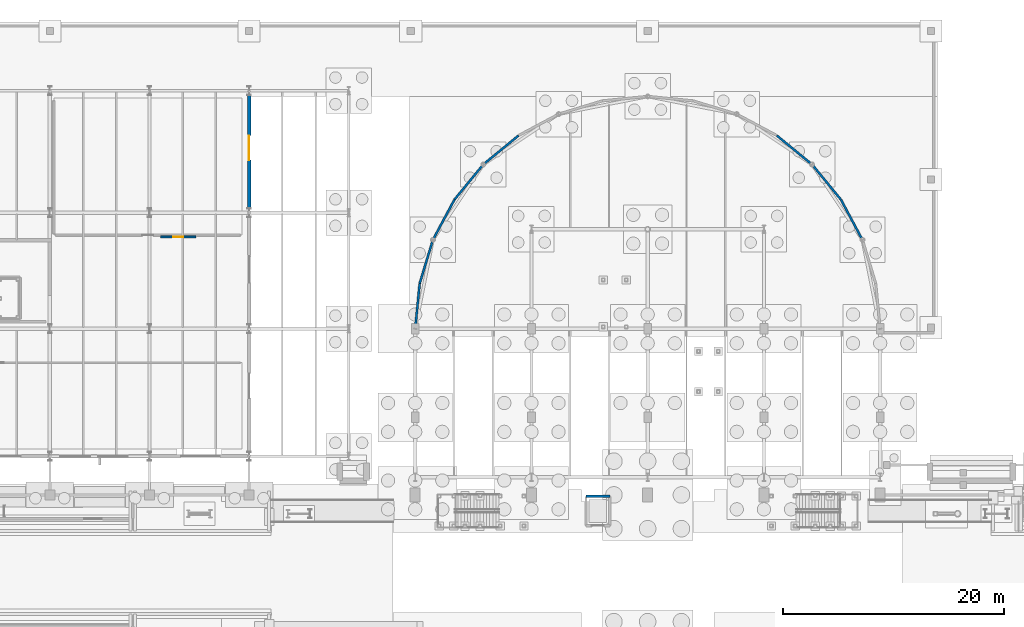
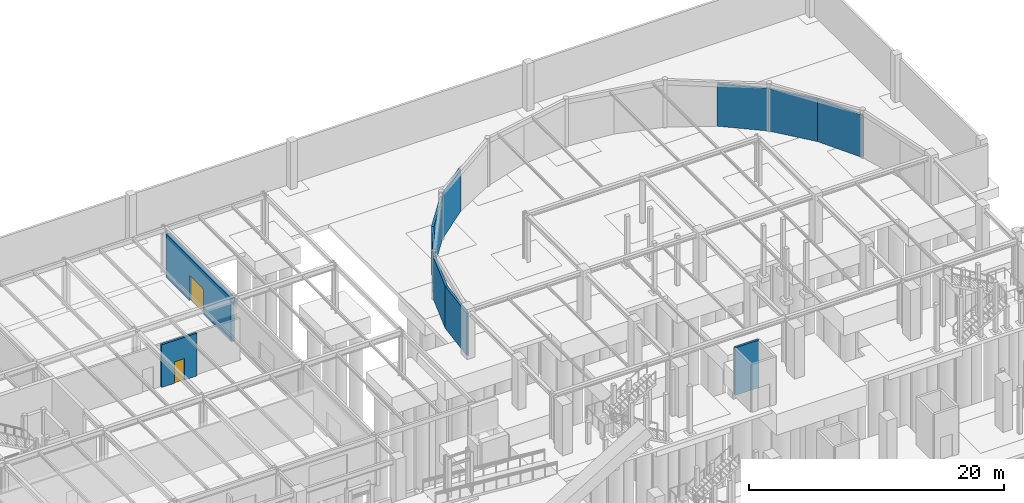
# One storey, part 106 of 160: 11 walls, 2 doors, 2 openings.
"""IFC4 building model written with IfcOpenShell, lengths in metres."""

from ifc_helpers import new_model, si_unit, direction, frame, frame_2d, origin, place, context, subcontext, project, spatial, rectangle, extrude, material, layer, layer_set, type_object, element, fill, save


model = new_model("IFC4")

# Units and contexts
model_context = context("Model", 3, precision=1e-05, world=origin(), true_north=direction((0.0, 1.0)))
body_context = subcontext(model_context, "Body", "Model", "MODEL_VIEW")
ifc_project = project(units=[si_unit("LENGTHUNIT", "METRE"), si_unit("AREAUNIT", "SQUARE_METRE"), si_unit("VOLUMEUNIT", "CUBIC_METRE"), si_unit("PLANEANGLEUNIT", "RADIAN"), si_unit("MASSUNIT", "GRAM", prefix="KILO")], contexts=[model_context])

# Site, building, storey
site_placement = place(None, origin())
site = spatial("IfcSite", under=ifc_project, at=site_placement, CompositionType="ELEMENT")
building_placement = place(site_placement, origin())
building = spatial("IfcBuilding", under=site, at=building_placement, Name="Marlcrest Central Station", CompositionType="ELEMENT")
storey_placement = place(building_placement, origin())
storey = spatial("IfcBuildingStorey", under=building, at=storey_placement, Name="L00", CompositionType="ELEMENT", Elevation=0.0)

# Walls
ifc_material_1 = material(Name="Concrete C40/50", Category="concrete")
ifc_layer_1 = layer(ifc_material_1, 0.199951171875, Name="EP-01")
ifc_layer_set_1 = layer_set([ifc_layer_1], Name="Concrete C40/50")
wall_type_1 = type_object("IfcWallType", Name="EP-01", PredefinedType="PARAPET", material=ifc_layer_set_1)
wall_1_placement = place(storey_placement, frame((87.0, 110.5, 0.0), z_axis=(0.0, 0.0, 1.0), x_axis=(0.098147279383, 0.995171900502, 0.0)))
element("IfcWall", 1, at=wall_1_placement, inside=storey, type_object=wall_type_1, Name="ewall-L00-0245", PredefinedType="PARAPET", context=body_context, shape_type="SweptSolid", body=[
    extrude(rectangle(XDim=4.11669921875, YDim=0.199951171875, at=frame_2d((2.058349609375, 0.0))), origin(), (0.0, 0.0, 1.0), 4.0400390625),
])
wall_2_placement = place(storey_placement, frame((87.404052734375, 114.596923828125, 0.0), z_axis=(0.0, 0.0, 1.0), x_axis=(0.290328377828, 0.956927078218, 0.0)))
element("IfcWall", 2, at=wall_2_placement, inside=storey, type_object=wall_type_1, Name="ewall-L00-0246", PredefinedType="PARAPET", context=body_context, shape_type="SweptSolid", body=[
    extrude(rectangle(XDim=4.1162109375, YDim=0.199951171875, at=frame_2d((2.05810546875, 0.0))), origin(), (0.0, 0.0, 1.0), 4.0400390625),
])
wall_3_placement = place(storey_placement, frame((88.59912109375, 118.535888671875, 0.0), z_axis=(0.0, 0.0, 1.0), x_axis=(0.471222184661, 0.882014542218, 0.0)))
element("IfcWall", 3, at=wall_3_placement, inside=storey, type_object=wall_type_1, Name="ewall-L00-0247", PredefinedType="PARAPET", context=body_context, shape_type="SweptSolid", body=[
    extrude(rectangle(XDim=4.116943359375, YDim=0.199951171875, at=frame_2d((2.05859375, 0.0))), origin(), (0.0, 0.0, 1.0), 4.0400390625),
])
for number, where, z_axis, x_axis, name in (
    (4, (90.5390625, 122.1669921875, 0.0), (0.0, 0.0, 1.0), (0.634438381706, 0.772973440564, 0.0), "ewall-L00-0248"),
    (5, (93.15087890625, 125.34912109375, 0.0), (0.0, 0.0, 1.0), (0.772973440564, 0.634438381706, 0.0), "ewall-L00-0249"),
    (6, (119.6669921875, 127.9609375, 0.0), (0.0, 0.0, 1.0), (0.772973440564, -0.634438381706, 0.0), "ewall-L00-0256"),
    (7, (122.84912109375, 125.34912109375, 0.0), (0.0, 0.0, 1.0), (0.634438381706, -0.772973440564, 0.0), "ewall-L00-0257"),
):
    element("IfcWall", number, at=place(storey_placement, frame(where, z_axis=z_axis, x_axis=x_axis)), inside=storey, type_object=wall_type_1, Name=name, PredefinedType="PARAPET", context=body_context, shape_type="SweptSolid", body=[
        extrude(rectangle(XDim=4.11669921875, YDim=0.199951171875, at=frame_2d((2.058349609375, 0.0))), origin(), (0.0, 0.0, 1.0), 4.0400390625),
    ])
wall_4_placement = place(storey_placement, frame((125.4609375, 122.1669921875, 0.0), z_axis=(0.0, 0.0, 1.0), x_axis=(0.471222184661, -0.882014542218, 0.0)))
element("IfcWall", 8, at=wall_4_placement, inside=storey, type_object=wall_type_1, Name="ewall-L00-0258", PredefinedType="PARAPET", context=body_context, shape_type="SweptSolid", body=[
    extrude(rectangle(XDim=4.116943359375, YDim=0.199951171875, at=frame_2d((2.05859375, 0.0))), origin(), (0.0, 0.0, 1.0), 4.0400390625),
])

# Wall, opening, door
ifc_layer_2 = layer(ifc_material_1, 0.320068359375, Name="EW-01")
ifc_layer_set_2 = layer_set([ifc_layer_2], Name="Concrete C40/50")
wall_type_2 = type_object("IfcWallType", Name="EW-01", PredefinedType="SOLIDWALL", material=ifc_layer_set_2)
wall_5_placement = place(storey_placement, frame((72.0, 131.60009765625, 0.0), z_axis=(0.0, 0.0, 1.0), x_axis=(0.0, -1.0, 0.0)))
wall_5 = element("IfcWall", 9, at=wall_5_placement, inside=storey, type_object=wall_type_2, Name="ewall-L00-0110", PredefinedType="SOLIDWALL", context=body_context, shape_type="SweptSolid", body=[
    extrude(rectangle(XDim=10.2001953125, YDim=0.320068359375, at=frame_2d((5.10009765625, 0.0))), origin(), (0.0, 0.0, 1.0), 4.14990234375),
])
opening_1_placement = place(wall_5_placement, frame((3.64990234375, 0.0, 0.0)))
opening_1 = element("IfcOpeningElement", 10, at=opening_1_placement, cuts=wall_5, Name="Opening ED-01", PredefinedType="OPENING", context=body_context, shape_type="SweptSolid", body=[
    extrude(rectangle(XDim=2.199951171875, YDim=2.39990234375, at=frame_2d((1.10009765625, 1.199951171875))), frame((0.0, 0.169921875, 0.0), z_axis=(0.0, -1.0, 0.0), x_axis=(1.0, 0.0, 0.0)), (0.0, 0.0, 1.0), 0.340087890625),
])
ifc_material_2 = material(Name="Thermally broken anodised aluminium and laminated safety glass", Category="aluminium")
door_type_1 = type_object("IfcDoorType", Name="ED-01", OperationType="DOUBLE_DOOR_SINGLE_SWING", PredefinedType="DOOR", material=ifc_material_2)
door_1_placement = place(opening_1_placement, origin())
door_1 = element("IfcDoor", 11, at=door_1_placement, inside=storey, type_object=door_type_1, Name="Operations East Yard Exit Door 039", OperationType="DOUBLE_DOOR_SINGLE_SWING", OverallHeight=2.39990234375, OverallWidth=2.199951171875, PredefinedType="DOOR", context=body_context, shape_type="SweptSolid", body=[
    extrude(rectangle(XDim=2.199951171875, YDim=2.39990234375, at=frame_2d((1.10009765625, 1.199951171875))), frame((0.0, 0.02490234375, 0.0), z_axis=(0.0, -1.0, 0.0), x_axis=(1.0, 0.0, 0.0)), (0.0, 0.0, 1.0), 0.050048828125),
])
fill(opening_1, door_1)

ifc_material_3 = material(Name="Fire-rated corridor blockwork partition", Category="masonry")
ifc_layer_3 = layer(ifc_material_3, 0.179931640625, Name="PT-04")
ifc_layer_set_3 = layer_set([ifc_layer_3], Name="Fire-rated corridor blockwork partition")
wall_type_3 = type_object("IfcWallType", Name="PT-04", PredefinedType="PARTITIONING", material=ifc_layer_set_3)
wall_6_placement = place(storey_placement, frame((64.0, 118.800048828125, 0.0), z_axis=(0.0, 0.0, 1.0), x_axis=(1.0, 0.0, 0.0)))
wall_6 = element("IfcWall", 12, at=wall_6_placement, inside=storey, type_object=wall_type_3, Name="iwall-L00-00453", PredefinedType="PARTITIONING", context=body_context, shape_type="SweptSolid", body=[
    extrude(rectangle(XDim=3.199951171875, YDim=0.179931640625, at=frame_2d((1.60009765625, 0.0))), origin(), (0.0, 0.0, 1.0), 4.10009765625),
])
opening_2_placement = place(wall_6_placement, frame((1.14990234375, 0.0, 0.0)))
opening_2 = element("IfcOpeningElement", 13, at=opening_2_placement, cuts=wall_6, Name="Opening RD-01", PredefinedType="OPENING", context=body_context, shape_type="SweptSolid", body=[
    extrude(rectangle(XDim=0.89990234375, YDim=2.050048828125, at=frame_2d((0.449951171875, 1.02490234375))), frame((0.0, 0.099853515625, 0.0), z_axis=(0.0, -1.0, 0.0), x_axis=(1.0, 0.0, 0.0)), (0.0, 0.0, 1.0), 0.199951171875),
])
ifc_material_4 = material(Name="Steel service riser access door", Category="steel")
door_type_2 = type_object("IfcDoorType", Name="RD-01", OperationType="NOTDEFINED", PredefinedType="DOOR", material=ifc_material_4)
door_2_placement = place(opening_2_placement, origin())
door_2 = element("IfcDoor", 14, at=door_2_placement, inside=storey, type_object=door_type_2, Name="Service Riser Access Door 0196", OperationType="SINGLE_SWING_LEFT", OverallHeight=2.050048828125, OverallWidth=0.89990234375, PredefinedType="DOOR", context=body_context, shape_type="SweptSolid", body=[
    extrude(rectangle(XDim=0.89990234375, YDim=2.050048828125, at=frame_2d((0.449951171875, 1.02490234375))), frame((0.0, 0.02490234375, 0.0), z_axis=(0.0, -1.0, 0.0), x_axis=(1.0, 0.0, 0.0)), (0.0, 0.0, 1.0), 0.050048828125),
])
fill(opening_2, door_2)

# Wall
ifc_material_5 = material(Name="Concrete C35/45", Category="concrete")
ifc_layer_4 = layer(ifc_material_5, 0.205078125, Name="SHW-03")
ifc_layer_set_4 = layer_set([ifc_layer_4], Name="Concrete C35/45")
wall_type_4 = type_object("IfcWallType", Name="SHW-03", PredefinedType="SOLIDWALL", material=ifc_layer_set_4)
wall_7_placement = place(storey_placement, frame((102.419921875, 95.3798828125, 0.0), z_axis=(0.0, 0.0, 1.0), x_axis=(1.0, 0.0, 0.0)))
element("IfcWall", 15, at=wall_7_placement, inside=storey, type_object=wall_type_4, Name="iwall-L00-00279", PredefinedType="SOLIDWALL", context=body_context, shape_type="SweptSolid", body=[
    extrude(rectangle(XDim=2.16015625, YDim=0.205078125, at=frame_2d((1.080078125, 0.0))), origin(), (0.0, 0.0, 1.0), 4.56005859375),
])

save(model, "model.ifc")
